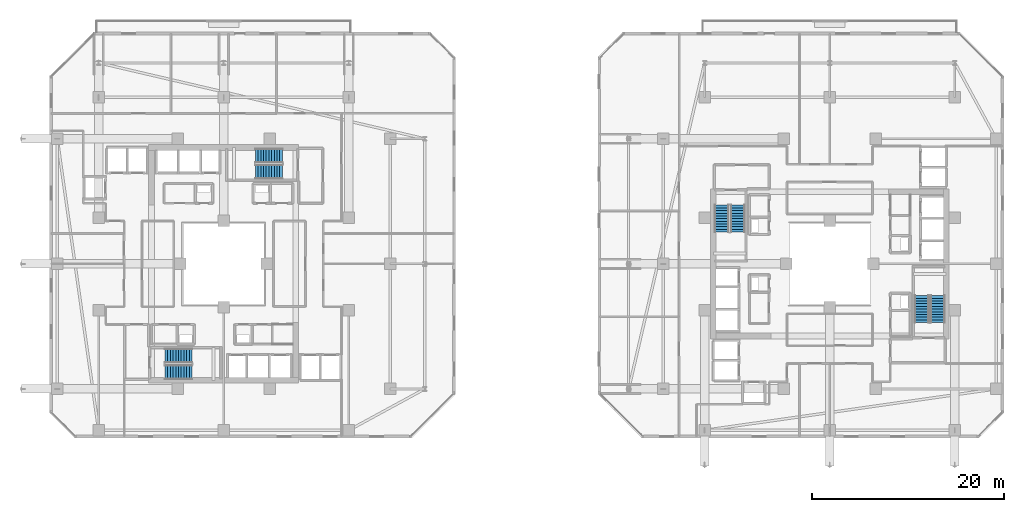
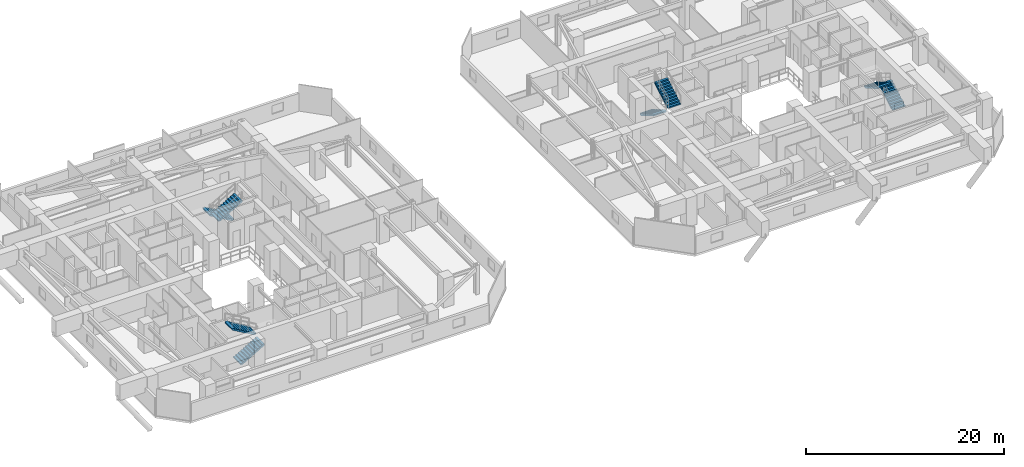
# One storey, part 30 of 36: 8 stair flights, 4 elements without a shape of their own.
"""IFC4 building model written with IfcOpenShell, lengths in metres."""

from ifc_helpers import new_model, si_unit, direction, frame, origin, place, context, subcontext, project, spatial, polyline, outline, extrude, material, type_object, element, aggregate, save


model = new_model("IFC4")

# Units and contexts
model_context = context("Model", 3, precision=1e-05, world=origin(), true_north=direction((0.0, 1.0)))
body_context = subcontext(model_context, "Body", "Model", "MODEL_VIEW")
ifc_project = project(units=[si_unit("LENGTHUNIT", "METRE"), si_unit("AREAUNIT", "SQUARE_METRE"), si_unit("VOLUMEUNIT", "CUBIC_METRE"), si_unit("PLANEANGLEUNIT", "RADIAN"), si_unit("MASSUNIT", "GRAM", prefix="KILO")], contexts=[model_context])

# Site, building, storey
site_placement = place(None, origin())
site = spatial("IfcSite", under=ifc_project, at=site_placement, CompositionType="ELEMENT")
building_placement = place(site_placement, origin())
building = spatial("IfcBuilding", under=site, at=building_placement, Name="Thornwick Lancets Civic Towers", CompositionType="ELEMENT")
storey_placement = place(building_placement, frame((0.0, 0.0, 94.5)))
storey = spatial("IfcBuildingStorey", under=building, at=storey_placement, Name="L24", CompositionType="ELEMENT", Elevation=94.5)

# Stair, stair flights
ifc_material = material(Name="Concrete C40/50", Category="concrete")
stair_type = type_object("IfcStairType", Name="STAIR_DL_3600", PredefinedType="HALF_TURN_STAIR", material=ifc_material)
stair_1_placement = place(storey_placement, origin())
stair_1 = element("IfcStair", 1, at=stair_1_placement, inside=storey, type_object=stair_type, Name="L24 Tower A South Exit Stair ST-A1", PredefinedType="HALF_TURN_STAIR")
stair_flight_type = type_object("IfcStairFlightType", Name="FLIGHT_3600", PredefinedType="STRAIGHT", material=ifc_material)
stair_flight_1_placement = place(storey_placement, frame((19.39990234375, 15.75, 0.0), z_axis=(0.0, 0.0, 1.0), x_axis=(1.0, 0.0, 0.0)))
stair_flight_1 = element("IfcStairFlight", 2, at=stair_flight_1_placement, type_object=stair_flight_type, Name="ST-A1 flight 1", NumberOfRisers=11, NumberOfTreads=10, PredefinedType="STRAIGHT", RiserHeight=0.163636364, TreadLength=0.28, context=body_context, shape_type="SweptSolid", body=[
    extrude(outline(polyline([(0.0, 0.0), (0.0, 0.16357421875), (0.280029296875, 0.16357421875), (0.280029296875, 0.327392578125), (0.56005859375, 0.327392578125), (0.56005859375, 0.490966796875), (0.840087890625, 0.490966796875), (0.840087890625, 0.654541015625), (1.1201171875, 0.654541015625), (1.1201171875, 0.818115234375), (1.39990234375, 0.818115234375), (1.39990234375, 0.98193359375), (1.679931640625, 0.98193359375), (1.679931640625, 1.1455078125), (1.9599609375, 1.1455078125), (1.9599609375, 1.30908203125), (2.239990234375, 1.30908203125), (2.239990234375, 1.47265625), (2.52001953125, 1.47265625), (2.52001953125, 1.636474609375), (2.800048828125, 1.636474609375), (2.800048828125, 1.800048828125), (2.800048828125, 1.462646484375), (0.297119140625, 0.0), (0.0, 0.0)])), frame((0.0, 0.75, 0.0), z_axis=(0.0, -1.0, 0.0), x_axis=(1.0, 0.0, 0.0)), (0.0, 0.0, 1.0), 1.5),
])
stair_flight_2_placement = place(storey_placement, frame((22.199951171875, 17.449951171875, 1.800048828125), z_axis=(0.0, 0.0, 1.0), x_axis=(-1.0, 0.0, 0.0)))
stair_flight_2 = element("IfcStairFlight", 3, at=stair_flight_2_placement, type_object=stair_flight_type, Name="ST-A1 flight 2", NumberOfRisers=11, NumberOfTreads=10, PredefinedType="STRAIGHT", RiserHeight=0.163636364, TreadLength=0.28, context=body_context, shape_type="SweptSolid", body=[
    extrude(outline(polyline([(0.0, 0.0), (0.0, 0.16357421875), (0.280029296875, 0.16357421875), (0.280029296875, 0.327392578125), (0.56005859375, 0.327392578125), (0.56005859375, 0.490966796875), (0.840087890625, 0.490966796875), (0.840087890625, 0.654541015625), (1.1201171875, 0.654541015625), (1.1201171875, 0.818115234375), (1.39990234375, 0.818115234375), (1.39990234375, 0.98193359375), (1.679931640625, 0.98193359375), (1.679931640625, 1.1455078125), (1.9599609375, 1.1455078125), (1.9599609375, 1.30908203125), (2.239990234375, 1.30908203125), (2.239990234375, 1.47265625), (2.52001953125, 1.47265625), (2.52001953125, 1.636474609375), (2.800048828125, 1.636474609375), (2.800048828125, 1.800048828125), (2.800048828125, 1.462646484375), (0.297119140625, 0.0), (0.0, 0.0)])), frame((0.0, 0.75, 0.0), z_axis=(0.0, -1.0, 0.0), x_axis=(1.0, 0.0, 0.0)), (0.0, 0.0, 1.0), 1.5),
])
aggregate(stair_1, [stair_flight_1, stair_flight_2])

stair_2_placement = place(storey_placement, origin())
stair_2 = element("IfcStair", 4, at=stair_2_placement, inside=storey, type_object=stair_type, Name="L24 Tower A North Exit Stair ST-A2", PredefinedType="HALF_TURN_STAIR")
stair_flight_3_placement = place(storey_placement, frame((31.60009765625, 38.25, 0.0), z_axis=(0.0, 0.0, 1.0), x_axis=(-1.0, 0.0, 0.0)))
stair_flight_3 = element("IfcStairFlight", 5, at=stair_flight_3_placement, type_object=stair_flight_type, Name="ST-A2 flight 1", NumberOfRisers=11, NumberOfTreads=10, PredefinedType="STRAIGHT", RiserHeight=0.163636364, TreadLength=0.28, context=body_context, shape_type="SweptSolid", body=[
    extrude(outline(polyline([(0.0, 0.0), (0.0, 0.16357421875), (0.280029296875, 0.16357421875), (0.280029296875, 0.327392578125), (0.56005859375, 0.327392578125), (0.56005859375, 0.490966796875), (0.840087890625, 0.490966796875), (0.840087890625, 0.654541015625), (1.1201171875, 0.654541015625), (1.1201171875, 0.818115234375), (1.39990234375, 0.818115234375), (1.39990234375, 0.98193359375), (1.679931640625, 0.98193359375), (1.679931640625, 1.1455078125), (1.9599609375, 1.1455078125), (1.9599609375, 1.30908203125), (2.239990234375, 1.30908203125), (2.239990234375, 1.47265625), (2.52001953125, 1.47265625), (2.52001953125, 1.636474609375), (2.800048828125, 1.636474609375), (2.800048828125, 1.800048828125), (2.800048828125, 1.462646484375), (0.297119140625, 0.0), (0.0, 0.0)])), frame((0.0, 0.75, 0.0), z_axis=(0.0, -1.0, 0.0), x_axis=(1.0, 0.0, 0.0)), (0.0, 0.0, 1.0), 1.5),
])
stair_flight_4_placement = place(storey_placement, frame((28.800048828125, 36.550048828125, 1.800048828125), z_axis=(0.0, 0.0, 1.0), x_axis=(1.0, 0.0, 0.0)))
stair_flight_4 = element("IfcStairFlight", 6, at=stair_flight_4_placement, type_object=stair_flight_type, Name="ST-A2 flight 2", NumberOfRisers=11, NumberOfTreads=10, PredefinedType="STRAIGHT", RiserHeight=0.163636364, TreadLength=0.28, context=body_context, shape_type="SweptSolid", body=[
    extrude(outline(polyline([(0.0, 0.0), (0.0, 0.16357421875), (0.280029296875, 0.16357421875), (0.280029296875, 0.327392578125), (0.56005859375, 0.327392578125), (0.56005859375, 0.490966796875), (0.840087890625, 0.490966796875), (0.840087890625, 0.654541015625), (1.1201171875, 0.654541015625), (1.1201171875, 0.818115234375), (1.39990234375, 0.818115234375), (1.39990234375, 0.98193359375), (1.679931640625, 0.98193359375), (1.679931640625, 1.1455078125), (1.9599609375, 1.1455078125), (1.9599609375, 1.30908203125), (2.239990234375, 1.30908203125), (2.239990234375, 1.47265625), (2.52001953125, 1.47265625), (2.52001953125, 1.636474609375), (2.800048828125, 1.636474609375), (2.800048828125, 1.800048828125), (2.800048828125, 1.462646484375), (0.297119140625, 0.0), (0.0, 0.0)])), frame((0.0, 0.75, 0.0), z_axis=(0.0, -1.0, 0.0), x_axis=(1.0, 0.0, 0.0)), (0.0, 0.0, 1.0), 1.5),
])
aggregate(stair_2, [stair_flight_3, stair_flight_4])

stair_3_placement = place(storey_placement, origin())
stair_3 = element("IfcStair", 7, at=stair_3_placement, inside=storey, type_object=stair_type, Name="L24 Tower B East Exit Stair ST-B1", PredefinedType="HALF_TURN_STAIR")
stair_flight_5_placement = place(storey_placement, frame((99.75, 20.89990234375, 0.0), z_axis=(0.0, 0.0, 1.0), x_axis=(0.0, 1.0, 0.0)))
stair_flight_5 = element("IfcStairFlight", 8, at=stair_flight_5_placement, type_object=stair_flight_type, Name="ST-B1 flight 1", NumberOfRisers=11, NumberOfTreads=10, PredefinedType="STRAIGHT", RiserHeight=0.163636364, TreadLength=0.28, context=body_context, shape_type="SweptSolid", body=[
    extrude(outline(polyline([(0.0, 0.0), (0.0, 0.16357421875), (0.280029296875, 0.16357421875), (0.280029296875, 0.327392578125), (0.56005859375, 0.327392578125), (0.56005859375, 0.490966796875), (0.840087890625, 0.490966796875), (0.840087890625, 0.654541015625), (1.1201171875, 0.654541015625), (1.1201171875, 0.818115234375), (1.39990234375, 0.818115234375), (1.39990234375, 0.98193359375), (1.679931640625, 0.98193359375), (1.679931640625, 1.1455078125), (1.9599609375, 1.1455078125), (1.9599609375, 1.30908203125), (2.239990234375, 1.30908203125), (2.239990234375, 1.47265625), (2.52001953125, 1.47265625), (2.52001953125, 1.636474609375), (2.800048828125, 1.636474609375), (2.800048828125, 1.800048828125), (2.800048828125, 1.462646484375), (0.297119140625, 0.0), (0.0, 0.0)])), frame((0.0, 0.75, 0.0), z_axis=(0.0, -1.0, 0.0), x_axis=(1.0, 0.0, 0.0)), (0.0, 0.0, 1.0), 1.5),
])
stair_flight_6_placement = place(storey_placement, frame((98.050048828125, 23.699951171875, 1.800048828125), z_axis=(0.0, 0.0, 1.0), x_axis=(0.0, -1.0, 0.0)))
stair_flight_6 = element("IfcStairFlight", 9, at=stair_flight_6_placement, type_object=stair_flight_type, Name="ST-B1 flight 2", NumberOfRisers=11, NumberOfTreads=10, PredefinedType="STRAIGHT", RiserHeight=0.163636364, TreadLength=0.28, context=body_context, shape_type="SweptSolid", body=[
    extrude(outline(polyline([(0.0, 0.0), (0.0, 0.16357421875), (0.280029296875, 0.16357421875), (0.280029296875, 0.327392578125), (0.56005859375, 0.327392578125), (0.56005859375, 0.490966796875), (0.840087890625, 0.490966796875), (0.840087890625, 0.654541015625), (1.1201171875, 0.654541015625), (1.1201171875, 0.818115234375), (1.39990234375, 0.818115234375), (1.39990234375, 0.98193359375), (1.679931640625, 0.98193359375), (1.679931640625, 1.1455078125), (1.9599609375, 1.1455078125), (1.9599609375, 1.30908203125), (2.239990234375, 1.30908203125), (2.239990234375, 1.47265625), (2.52001953125, 1.47265625), (2.52001953125, 1.636474609375), (2.800048828125, 1.636474609375), (2.800048828125, 1.800048828125), (2.800048828125, 1.462646484375), (0.297119140625, 0.0), (0.0, 0.0)])), frame((0.0, 0.75, 0.0), z_axis=(0.0, -1.0, 0.0), x_axis=(1.0, 0.0, 0.0)), (0.0, 0.0, 1.0), 1.5),
])
aggregate(stair_3, [stair_flight_5, stair_flight_6])

stair_4_placement = place(storey_placement, origin())
stair_4 = element("IfcStair", 10, at=stair_4_placement, inside=storey, type_object=stair_type, Name="L24 Tower B West Exit Stair ST-B2", PredefinedType="HALF_TURN_STAIR")
stair_flight_7_placement = place(storey_placement, frame((77.25, 33.10009765625, 0.0), z_axis=(0.0, 0.0, 1.0), x_axis=(0.0, -1.0, 0.0)))
stair_flight_7 = element("IfcStairFlight", 11, at=stair_flight_7_placement, type_object=stair_flight_type, Name="ST-B2 flight 1", NumberOfRisers=11, NumberOfTreads=10, PredefinedType="STRAIGHT", RiserHeight=0.163636364, TreadLength=0.28, context=body_context, shape_type="SweptSolid", body=[
    extrude(outline(polyline([(0.0, 0.0), (0.0, 0.16357421875), (0.280029296875, 0.16357421875), (0.280029296875, 0.327392578125), (0.56005859375, 0.327392578125), (0.56005859375, 0.490966796875), (0.840087890625, 0.490966796875), (0.840087890625, 0.654541015625), (1.1201171875, 0.654541015625), (1.1201171875, 0.818115234375), (1.39990234375, 0.818115234375), (1.39990234375, 0.98193359375), (1.679931640625, 0.98193359375), (1.679931640625, 1.1455078125), (1.9599609375, 1.1455078125), (1.9599609375, 1.30908203125), (2.239990234375, 1.30908203125), (2.239990234375, 1.47265625), (2.52001953125, 1.47265625), (2.52001953125, 1.636474609375), (2.800048828125, 1.636474609375), (2.800048828125, 1.800048828125), (2.800048828125, 1.462646484375), (0.297119140625, 0.0), (0.0, 0.0)])), frame((0.0, 0.75, 0.0), z_axis=(0.0, -1.0, 0.0), x_axis=(1.0, 0.0, 0.0)), (0.0, 0.0, 1.0), 1.5),
])
stair_flight_8_placement = place(storey_placement, frame((78.949951171875, 30.300048828125, 1.800048828125), z_axis=(0.0, 0.0, 1.0), x_axis=(0.0, 1.0, 0.0)))
stair_flight_8 = element("IfcStairFlight", 12, at=stair_flight_8_placement, type_object=stair_flight_type, Name="ST-B2 flight 2", NumberOfRisers=11, NumberOfTreads=10, PredefinedType="STRAIGHT", RiserHeight=0.163636364, TreadLength=0.28, context=body_context, shape_type="SweptSolid", body=[
    extrude(outline(polyline([(0.0, 0.0), (0.0, 0.16357421875), (0.280029296875, 0.16357421875), (0.280029296875, 0.327392578125), (0.56005859375, 0.327392578125), (0.56005859375, 0.490966796875), (0.840087890625, 0.490966796875), (0.840087890625, 0.654541015625), (1.1201171875, 0.654541015625), (1.1201171875, 0.818115234375), (1.39990234375, 0.818115234375), (1.39990234375, 0.98193359375), (1.679931640625, 0.98193359375), (1.679931640625, 1.1455078125), (1.9599609375, 1.1455078125), (1.9599609375, 1.30908203125), (2.239990234375, 1.30908203125), (2.239990234375, 1.47265625), (2.52001953125, 1.47265625), (2.52001953125, 1.636474609375), (2.800048828125, 1.636474609375), (2.800048828125, 1.800048828125), (2.800048828125, 1.462646484375), (0.297119140625, 0.0), (0.0, 0.0)])), frame((0.0, 0.75, 0.0), z_axis=(0.0, -1.0, 0.0), x_axis=(1.0, 0.0, 0.0)), (0.0, 0.0, 1.0), 1.5),
])
aggregate(stair_4, [stair_flight_7, stair_flight_8])

save(model, "model.ifc")
